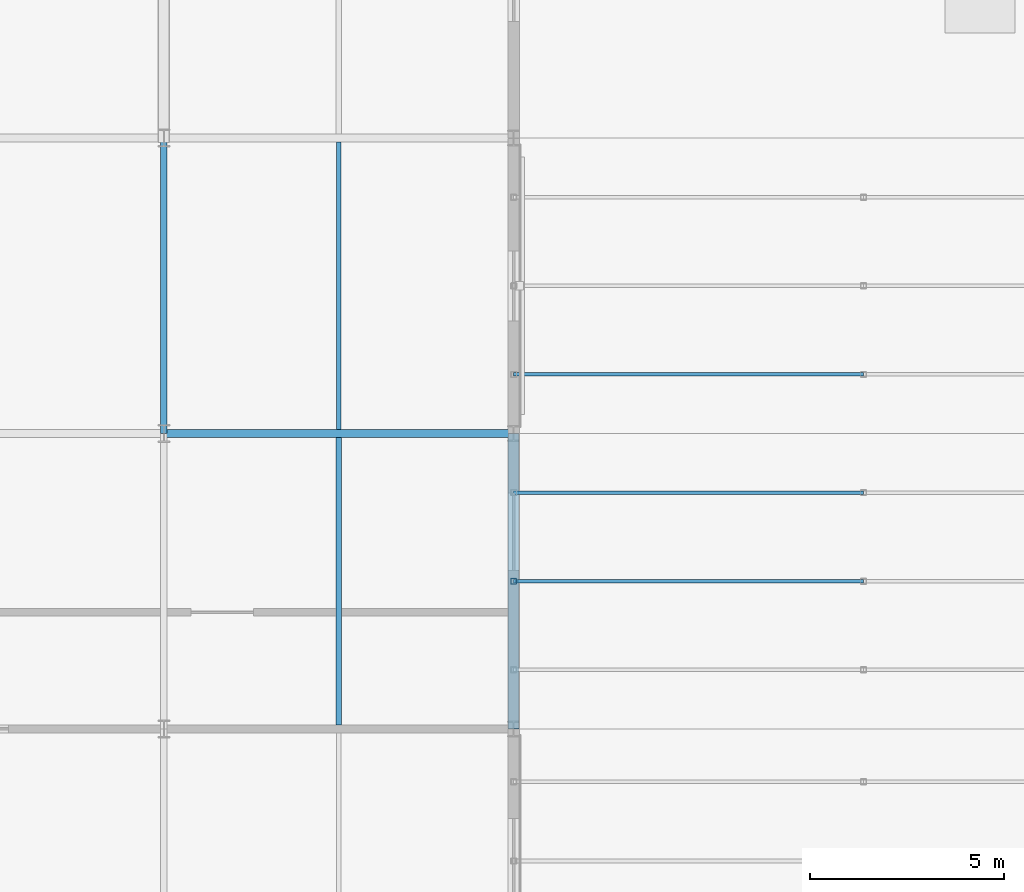
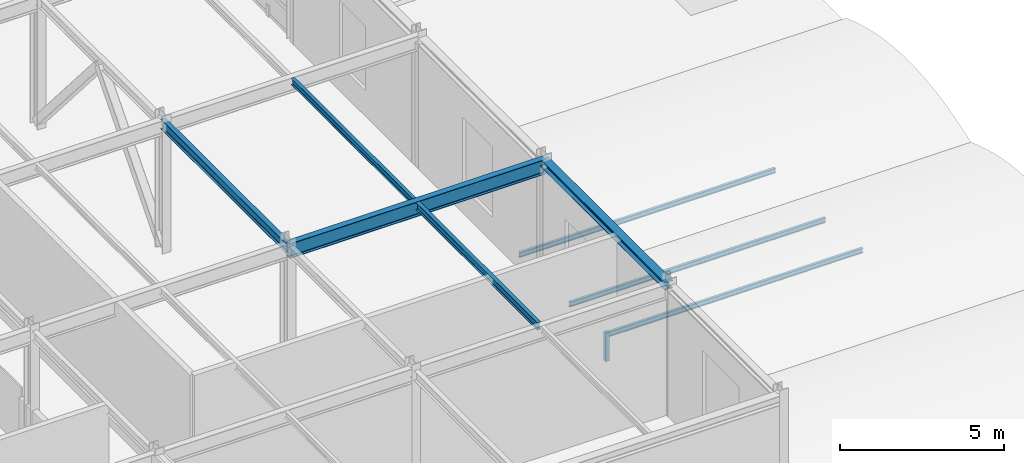
# One storey, part 57 of 113: 5 beams, 4 members.
"""IFC4 building model written with IfcOpenShell, lengths in metres."""

from ifc_helpers import new_model, si_unit, direction, frame, origin, origin_2d, place, context, subcontext, project, spatial, hollow_rectangle, i_section, extrude, material, material_profile, profile_set, type_object, element, save


model = new_model("IFC4")

# Units and contexts
model_context = context("Model", 3, precision=1e-05, world=origin(), true_north=direction((0.0, 1.0)))
body_context = subcontext(model_context, "Body", "Model", "MODEL_VIEW")
ifc_project = project(units=[si_unit("LENGTHUNIT", "METRE"), si_unit("AREAUNIT", "SQUARE_METRE"), si_unit("VOLUMEUNIT", "CUBIC_METRE"), si_unit("PLANEANGLEUNIT", "RADIAN"), si_unit("MASSUNIT", "GRAM", prefix="KILO")], contexts=[model_context])

# Site, building, storey
site_placement = place(None, origin())
site = spatial("IfcSite", under=ifc_project, at=site_placement, CompositionType="ELEMENT")
building_placement = place(site_placement, origin())
building = spatial("IfcBuilding", under=site, at=building_placement, Name="Shalkamar Park Central Library", CompositionType="ELEMENT")
storey_placement = place(building_placement, frame((0.0, 0.0, 5.39990234375)))
storey = spatial("IfcBuildingStorey", under=building, at=storey_placement, Name="L02", CompositionType="ELEMENT", Elevation=5.39990234375)

# Beams
ifc_material = material(Name="Steel S355", Category="steel")
ifc_material_profile_1 = material_profile(ifc_material, i_section(OverallWidth=0.1201171875, OverallDepth=0.239990234375, WebThickness=0.006103515625, FlangeThickness=0.009765625, FilletRadius=0.014892578125, at=origin_2d()), Name="IPE 240")
ifc_profile_set_1 = profile_set([ifc_material_profile_1], Name="Steel S355")
beam_type_1 = type_object("IfcBeamType", Name="Composite Floor Joist IPE240", PredefinedType="JOIST", material=ifc_profile_set_1)
beam_1_placement = place(storey_placement, frame((268.5, 262.903076171875, 4.739990234375), z_axis=(0.0, 1.0, 0.0), x_axis=(-1.0, 0.0, 0.0)))
element("IfcBeam", 1, at=beam_1_placement, inside=storey, type_object=beam_type_1, Name="Composite Joist 19/D-1 (L02)", PredefinedType="JOIST", context=body_context, shape_type="SweptSolid", body=[
    extrude(i_section(OverallWidth=0.1201171875, OverallDepth=0.239990234375, WebThickness=0.006103515625, FlangeThickness=0.009765625, FilletRadius=0.014892578125, at=origin_2d()), origin(), (0.0, 0.0, 1.0), 7.39404296875),
])
ifc_material_profile_2 = material_profile(ifc_material, i_section(OverallWidth=0.135009765625, OverallDepth=0.27001953125, WebThickness=0.006591796875, FlangeThickness=0.01025390625, FilletRadius=0.014892578125, at=origin_2d()), Name="IPE 270")
ifc_profile_set_2 = profile_set([ifc_material_profile_2], Name="Steel S355")
beam_type_2 = type_object("IfcBeamType", Name="Composite Floor Joist IPE270", PredefinedType="JOIST", material=ifc_profile_set_2)
beam_2_placement = place(storey_placement, frame((268.5, 255.302978515625, 4.72509765625), z_axis=(0.0, 1.0, 0.0), x_axis=(-1.0, 0.0, 0.0)))
element("IfcBeam", 2, at=beam_2_placement, inside=storey, type_object=beam_type_2, Name="Composite Joist 19/C-1 (L02)", PredefinedType="JOIST", context=body_context, shape_type="SweptSolid", body=[
    extrude(i_section(OverallWidth=0.135009765625, OverallDepth=0.27001953125, WebThickness=0.006591796875, FlangeThickness=0.01025390625, FilletRadius=0.014892578125, at=origin_2d()), origin(), (0.0, 0.0, 1.0), 7.39404296875),
])

# Member
ifc_material_profile_3 = material_profile(ifc_material, hollow_rectangle(XDim=0.14990234375, YDim=0.14990234375, WallThickness=0.008056640625, InnerFilletRadius=0.008056640625, OuterFilletRadius=0.011962890625, at=origin_2d()), Name="SHS 150x150x8")
ifc_profile_set_3 = profile_set([ifc_material_profile_3], Name="Steel S355")
member_type_1 = type_object("IfcMemberType", Name="Diagonal Brace SHS150", PredefinedType="BRACE", material=ifc_profile_set_3)
member_placement = place(storey_placement, frame((273.0, 259.0, -0.35986328125), z_axis=(0.0, 0.0, 1.0), x_axis=(1.0, 0.0, 0.0)))
element("IfcMember", 3, at=member_placement, inside=storey, type_object=member_type_1, Name="Vault Arch Post BV-L01-E2-20.2", PredefinedType="BRACE", context=body_context, shape_type="SweptSolid", body=[
    extrude(hollow_rectangle(XDim=0.14990234375, YDim=0.14990234375, WallThickness=0.008056640625, InnerFilletRadius=0.008056640625, OuterFilletRadius=0.011962890625, at=origin_2d()), origin(), (0.0, 0.0, 1.0), 1.0400390625),
])

# Beams
ifc_material_profile_4 = material_profile(ifc_material, i_section(OverallWidth=0.280029296875, OverallDepth=0.27001953125, WebThickness=0.008056640625, FlangeThickness=0.012939453125, FilletRadius=0.02392578125, at=origin_2d()), Name="HEA 280")
ifc_profile_set_4 = profile_set([ifc_material_profile_4], Name="Steel S355")
beam_type_3 = type_object("IfcBeamType", Name="Perimeter Spandrel Beam HEA280", PredefinedType="SPANDREL", material=ifc_profile_set_4)
beam_3_placement = place(storey_placement, frame((273.0, 255.199951171875, 4.72509765625), z_axis=(0.0, 1.0, 0.0), x_axis=(-1.0, 0.0, 0.0)))
element("IfcBeam", 4, at=beam_3_placement, inside=storey, type_object=beam_type_3, Name="Beam 20:C-D (L02)", PredefinedType="SPANDREL", context=body_context, shape_type="SweptSolid", body=[
    extrude(i_section(OverallWidth=0.280029296875, OverallDepth=0.27001953125, WebThickness=0.008056640625, FlangeThickness=0.012939453125, FilletRadius=0.02392578125, at=origin_2d()), origin(), (0.0, 0.0, 1.0), 7.60009765625),
])
ifc_material_profile_5 = material_profile(ifc_material, i_section(OverallWidth=0.169921875, OverallDepth=0.360107421875, WebThickness=0.008056640625, FlangeThickness=0.0126953125, FilletRadius=0.01806640625, at=origin_2d()), Name="IPE 360")
ifc_profile_set_5 = profile_set([ifc_material_profile_5], Name="Steel S355")
beam_type_4 = type_object("IfcBeamType", Name="Primary Girder IPE360", PredefinedType="BEAM", material=ifc_profile_set_5)
beam_4_placement = place(storey_placement, frame((264.0, 262.800048828125, 4.68017578125), z_axis=(0.0, 1.0, 0.0), x_axis=(-1.0, 0.0, 0.0)))
element("IfcBeam", 5, at=beam_4_placement, inside=storey, type_object=beam_type_4, Name="Beam 19:D-E (L02)", PredefinedType="BEAM", context=body_context, shape_type="SweptSolid", body=[
    extrude(i_section(OverallWidth=0.169921875, OverallDepth=0.360107421875, WebThickness=0.008056640625, FlangeThickness=0.0126953125, FilletRadius=0.01806640625, at=origin_2d()), origin(), (0.0, 0.0, 1.0), 7.599853515625),
])
ifc_material_profile_6 = material_profile(ifc_material, i_section(OverallWidth=0.2099609375, OverallDepth=0.550048828125, WebThickness=0.010986328125, FlangeThickness=0.01708984375, FilletRadius=0.02392578125, at=origin_2d()), Name="IPE 550")
ifc_profile_set_6 = profile_set([ifc_material_profile_6], Name="Steel S355")
beam_type_5 = type_object("IfcBeamType", Name="Primary Girder IPE550", PredefinedType="BEAM", material=ifc_profile_set_6)
beam_5_placement = place(storey_placement, frame((264.0, 262.800048828125, 4.585205078125), z_axis=(1.0, 0.0, 0.0), x_axis=(0.0, 1.0, 0.0)))
element("IfcBeam", 6, at=beam_5_placement, inside=storey, type_object=beam_type_5, Name="Beam D:19-20 (L02)", PredefinedType="BEAM", context=body_context, shape_type="SweptSolid", body=[
    extrude(i_section(OverallWidth=0.2099609375, OverallDepth=0.550048828125, WebThickness=0.010986328125, FlangeThickness=0.01708984375, FilletRadius=0.02392578125, at=origin_2d()), origin(), (0.0, 0.0, 1.0), 9.0),
])

# Members
ifc_material_profile_7 = material_profile(ifc_material, i_section(OverallWidth=0.091064453125, OverallDepth=0.179931640625, WebThickness=0.00537109375, FlangeThickness=0.008056640625, FilletRadius=0.009033203125, at=origin_2d()), Name="IPE 180")
ifc_profile_set_7 = profile_set([ifc_material_profile_7], Name="Steel S355")
member_type_2 = type_object("IfcMemberType", Name="Roof Purlin IPE180", PredefinedType="PURLIN", material=ifc_profile_set_7)
for number, where, z_axis, x_axis, name in (
    (7, (273.0, 259.0, 0.590087890625), (1.0, 0.0, 0.0), (0.0, 1.0, 0.0), "Barrel Roof Purlin BV-L01-E2-2.20"),
    (8, (273.0, 261.280029296875, 0.330810546875), (1.0, 0.0, 0.0), (0.0, 1.0, 0.0), "Barrel Roof Purlin BV-L01-E2-3.20"),
    (9, (273.0, 264.320068359375, 0.330810546875), (1.0, 0.0, 0.0), (0.0, 1.0, 0.0), "Barrel Roof Purlin BV-L01-E3-1.20"),
):
    element("IfcMember", number, at=place(storey_placement, frame(where, z_axis=z_axis, x_axis=x_axis)), inside=storey, type_object=member_type_2, Name=name, PredefinedType="PURLIN", context=body_context, shape_type="SweptSolid", body=[
        extrude(i_section(OverallWidth=0.091064453125, OverallDepth=0.179931640625, WebThickness=0.00537109375, FlangeThickness=0.008056640625, FilletRadius=0.009033203125, at=origin_2d()), origin(), (0.0, 0.0, 1.0), 9.0),
    ])

save(model, "model.ifc")
